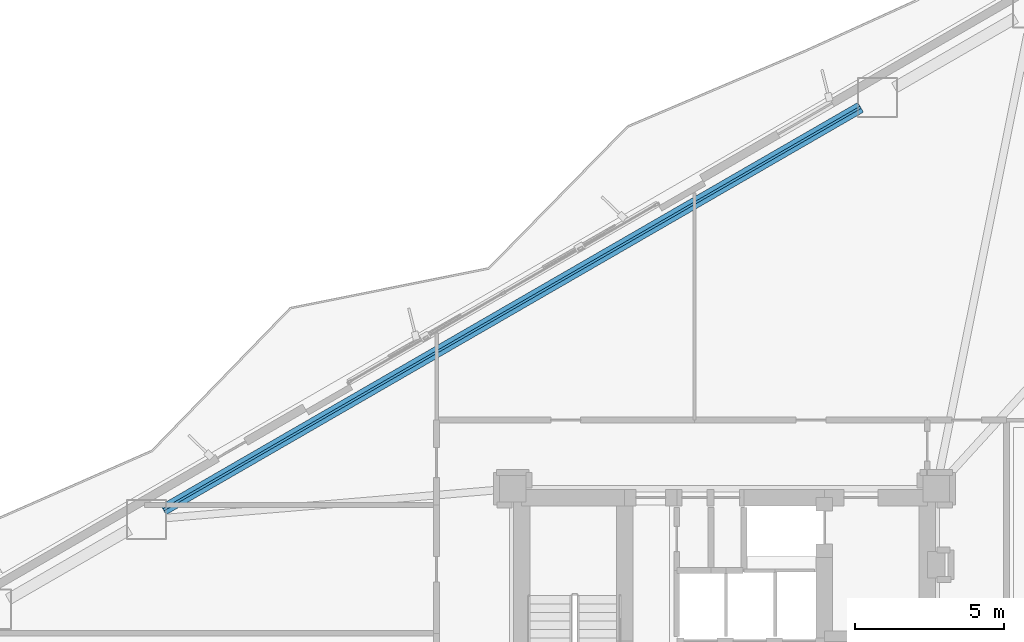
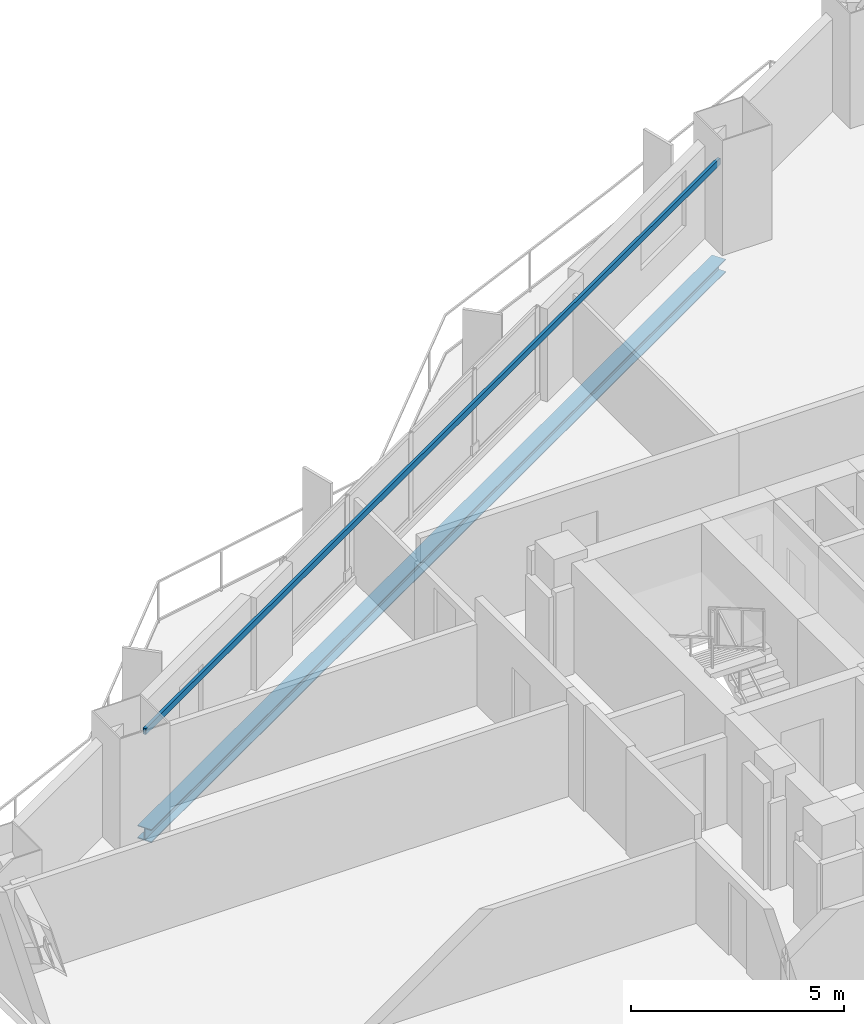
# One storey, part 8 of 16: 2 beams.
"""IFC4 building model written with IfcOpenShell, lengths in metres."""

import ifcopenshell
import ifcopenshell.guid

model = None  # the IFC model being written
_history = None  # IfcOwnerHistory: only IFC2X3 demands one
_inside = {}  # id of a spatial element -> (the spatial element, [elements in it])
_under = {}  # id of a project, library or spatial element -> (it, [spatial elements below it])
_declared = {}  # id of a project -> (the project, [libraries it declares])
_typed = {}  # id of a type object -> (the type object, [elements of that type])
_made_of = {}  # id of a material, layer set ... -> (it, [elements and type objects made of it])


def new_model(schema):
    """Start an empty IFC model of exactly this schema.

    Asked for "IFC4X3", IfcOpenShell would pick the latest addendum, in which some entities
    have other attributes; the version numbers below select the first issue.
    IFC2X3 requires an IfcOwnerHistory on every rooted entity: one is made here for all.
    """
    global model, _history
    if schema == "IFC4X3":
        model = ifcopenshell.file(schema_version=(4, 3, 0, 0))
    else:
        model = ifcopenshell.file(schema=schema)
    _inside.clear()
    _under.clear()
    _declared.clear()
    _typed.clear()
    _made_of.clear()
    _history = None
    if model.schema == "IFC2X3":
        org = make("IfcOrganization", Name="unknown")
        user = make(
            "IfcPersonAndOrganization",
            ThePerson=make("IfcPerson", FamilyName="unknown"),
            TheOrganization=org,
        )
        app = make(
            "IfcApplication",
            ApplicationDeveloper=org,
            Version="unknown",
            ApplicationFullName="unknown",
            ApplicationIdentifier="unknown",
        )
        _history = make(
            "IfcOwnerHistory",
            OwningUser=user,
            OwningApplication=app,
            ChangeAction="ADDED",
            CreationDate=0,
        )
    return model


def make(cls, **values):
    """One entity of the class cls with the attributes given. An attribute that is None is left unset."""
    return model.create_entity(
        cls, **{name: value for name, value in values.items() if value is not None}
    )


def rooted(cls, **values):
    """An entity with a GlobalId (a new one), such as an element, a storey or a relation."""
    return make(cls, GlobalId=ifcopenshell.guid.new(), OwnerHistory=_history, **values)


def si_unit(unit_type, name, prefix=None):
    """IfcSIUnit, for example si_unit("LENGTHUNIT", "METRE", prefix="MILLI")."""
    return make("IfcSIUnit", UnitType=unit_type, Prefix=prefix, Name=name)


def assignment(units):
    """IfcUnitAssignment: the units of a project."""
    return None if units is None else make("IfcUnitAssignment", Units=units)


def point(xyz):
    """IfcCartesianPoint."""
    return None if xyz is None else make("IfcCartesianPoint", Coordinates=xyz)


def direction(xyz):
    """IfcDirection."""
    return None if xyz is None else make("IfcDirection", DirectionRatios=xyz)


def frame(location, z_axis=None, x_axis=None):
    """IfcAxis2Placement3D, a coordinate frame: its origin and axes. An axis left out is left unset."""
    return make(
        "IfcAxis2Placement3D",
        Location=point(location),
        Axis=direction(z_axis),
        RefDirection=direction(x_axis),
    )


def frame_2d(location, x_axis=None):
    """IfcAxis2Placement2D, a coordinate frame in the plane: its origin and x axis."""
    return make(
        "IfcAxis2Placement2D", Location=point(location), RefDirection=direction(x_axis)
    )


def origin():
    """The frame at (0, 0, 0) with its axes left unset."""
    return frame((0.0, 0.0, 0.0))


def origin_2d():
    """The frame at (0, 0) in the plane with its x axis left unset."""
    return frame_2d((0.0, 0.0))


def place(relative_to, where):
    """IfcLocalPlacement: puts the frame where relative to a parent placement (None: the world)."""
    return make(
        "IfcLocalPlacement", PlacementRelTo=relative_to, RelativePlacement=where
    )


def context(
    kind, dimensions, precision=None, world=None, true_north=None, identifier=None
):
    """IfcGeometricRepresentationContext, for example the 3D "Model" context."""
    return make(
        "IfcGeometricRepresentationContext",
        ContextIdentifier=identifier,
        ContextType=kind,
        CoordinateSpaceDimension=dimensions,
        Precision=precision,
        WorldCoordinateSystem=world,
        TrueNorth=true_north,
    )


def subcontext(parent, identifier, kind, view, scale=None):
    """IfcGeometricRepresentationSubContext, for example "Body" below "Model"."""
    return make(
        "IfcGeometricRepresentationSubContext",
        ContextIdentifier=identifier,
        ContextType=kind,
        ParentContext=parent,
        TargetScale=scale,
        TargetView=view,
    )


def project(units=None, contexts=None):
    """IfcProject with its units and contexts."""
    return rooted(
        "IfcProject",
        Name="project",
        RepresentationContexts=contexts,
        UnitsInContext=assignment(units),
    )


def spatial(cls, under=None, at=None, **own):
    """A site, building, storey or space (cls), placed at a placement, below another one or the project."""
    s = rooted(cls, ObjectPlacement=at, **own)
    if under is not None:
        _under.setdefault(under.id(), (under, []))[1].append(s)
    return s


def profile(cls, at=None, kind="AREA", **sizes):
    """A parametric profile (cls). Its sizes go by their IFC names, for example OverallWidth=200.0."""
    return make(cls, ProfileType=kind, Position=at, **sizes)


def hollow_rectangle(**sizes):
    """IfcRectangleHollowProfileDef."""
    return profile("IfcRectangleHollowProfileDef", **sizes)


def i_section(**sizes):
    """IfcIShapeProfileDef."""
    return profile("IfcIShapeProfileDef", **sizes)


def extrude(swept, where, along, depth):
    """IfcExtrudedAreaSolid: the profile swept, set in the frame where, extruded along a direction by depth."""
    return make(
        "IfcExtrudedAreaSolid",
        SweptArea=swept,
        Position=where,
        ExtrudedDirection=direction(along),
        Depth=depth,
    )


def shape(context_of_items, identifier, shape_type, items):
    """IfcShapeRepresentation: the items that make up one representation, for example the "Body"."""
    return make(
        "IfcShapeRepresentation",
        ContextOfItems=context_of_items,
        RepresentationIdentifier=identifier,
        RepresentationType=shape_type,
        Items=items,
    )


def material(Name=None, Category=None):
    """IfcMaterial."""
    return make("IfcMaterial", Name=Name, Category=Category)


def material_profile(
    of_material, cross_section, Name=None, Category=None, Priority=None
):
    """IfcMaterialProfile: a cross section and its material."""
    return make(
        "IfcMaterialProfile",
        Name=Name,
        Material=of_material,
        Profile=cross_section,
        Priority=Priority,
        Category=Category,
    )


def profile_set(profiles, Name=None, composite=None):
    """IfcMaterialProfileSet."""
    return make(
        "IfcMaterialProfileSet",
        Name=Name,
        MaterialProfiles=profiles,
        CompositeProfile=composite,
    )


def made_of(thing, what):
    """Note that an element or type object is made of a material, layer set ...; save() writes the relation."""
    if what is not None:
        _made_of.setdefault(what.id(), (what, []))[1].append(thing)
    return thing


def type_object(cls, material=None, **own):
    """A type object (cls), such as IfcWallType, which elements share."""
    return made_of(rooted(cls, **own), material)


def element(
    cls,
    number,
    at=None,
    inside=None,
    cuts=None,
    type_object=None,
    material=None,
    context=None,
    identifier="Body",
    shape_type=None,
    held_by="IfcProductDefinitionShape",
    body=None,
    shapes=None,
    **own,
):
    """One element of the class cls, such as IfcWall. Its Tag is "e" and its number.

    at: its placement. inside: the storey or other place that contains it. cuts: it is an
    opening in that element (IfcRelVoidsElement). A single representation is given by context,
    identifier, shape_type and body (its items); several are given by shapes. held_by: the class
    of the entity that holds the representations. save() writes the other relations.
    """
    e = rooted(cls, Tag="e%d" % number, ObjectPlacement=at, **own)
    if body is not None:
        shapes = [shape(context, identifier, shape_type, body)]
    if shapes is not None:
        e.Representation = make(held_by, Representations=shapes)
    if inside is not None:
        _inside.setdefault(inside.id(), (inside, []))[1].append(e)
    if cuts is not None:
        rooted(
            "IfcRelVoidsElement", RelatingBuildingElement=cuts, RelatedOpeningElement=e
        )
    if type_object is not None:
        _typed.setdefault(type_object.id(), (type_object, []))[1].append(e)
    return made_of(e, material)


def aggregate(whole, parts):
    """IfcRelAggregates: a whole, such as a stair, and the parts it consists of."""
    return rooted("IfcRelAggregates", RelatingObject=whole, RelatedObjects=parts)


def save(model, path):
    """Write the relations noted so far, then the file.

    IfcRelAggregates (storeys below a building ...), IfcRelContainedInSpatialStructure (elements
    in a storey), IfcRelDefinesByType, IfcRelAssociatesMaterial and IfcRelDeclares: one each for
    every whole, place, type object, material and project.
    """
    for whole, parts in _under.values():
        aggregate(whole, parts)
    for where, things in _inside.values():
        rooted(
            "IfcRelContainedInSpatialStructure",
            RelatedElements=things,
            RelatingStructure=where,
        )
    for kind, things in _typed.values():
        rooted("IfcRelDefinesByType", RelatedObjects=things, RelatingType=kind)
    for what, things in _made_of.values():
        rooted("IfcRelAssociatesMaterial", RelatedObjects=things, RelatingMaterial=what)
    for by, libraries in _declared.values():
        rooted("IfcRelDeclares", RelatingContext=by, RelatedDefinitions=libraries)
    model.write(path)


model = new_model("IFC4")

# Units and contexts
model_context = context("Model", 3, precision=1e-05, world=origin(), true_north=direction((0.0, 1.0)))
body_context = subcontext(model_context, "Body", "Model", "MODEL_VIEW")
ifc_project = project(units=[si_unit("LENGTHUNIT", "METRE"), si_unit("AREAUNIT", "SQUARE_METRE"), si_unit("VOLUMEUNIT", "CUBIC_METRE"), si_unit("PLANEANGLEUNIT", "RADIAN"), si_unit("MASSUNIT", "GRAM", prefix="KILO")], contexts=[model_context])

# Site, building, storey
site_placement = place(None, origin())
site = spatial("IfcSite", under=ifc_project, at=site_placement, CompositionType="ELEMENT")
building_placement = place(site_placement, origin())
building = spatial("IfcBuilding", under=site, at=building_placement, Name="Mersakhor Tower and Convention Hall", CompositionType="ELEMENT")
storey_placement = place(building_placement, frame((0.0, 0.0, 19.199951171875)))
storey = spatial("IfcBuildingStorey", under=building, at=storey_placement, Name="L04", CompositionType="ELEMENT", Elevation=19.199951171875)

# Beams
ifc_material_1 = material(Name="Steel S355", Category="steel")
ifc_material_profile_1 = material_profile(ifc_material_1, hollow_rectangle(XDim=0.080078125, YDim=0.179931640625, WallThickness=0.008056640625, at=origin_2d()), Name="RHS 180x80x8")
ifc_profile_set_1 = profile_set([ifc_material_profile_1], Name="Steel S355")
beam_type_1 = type_object("IfcBeamType", Name="BM-GRT-RHS180", PredefinedType="USERDEFINED", material=ifc_profile_set_1)
beam_1_placement = place(storey_placement, frame((10.183837890625, 32.341064453125, 2.47998046875), z_axis=(0.866025970279, 0.499999018801, 0.0), x_axis=(-0.499999018801, 0.866025970279, 0.0)))
element("IfcBeam", 1, at=beam_1_placement, inside=storey, type_object=beam_type_1, Name="L04 Facade Support Girt GRT-F1", ObjectType="GIRT", PredefinedType="USERDEFINED", context=body_context, shape_type="SweptSolid", body=[
    extrude(hollow_rectangle(XDim=0.080078125, YDim=0.179931640625, WallThickness=0.008056640625, at=origin_2d()), origin(), (0.0, 0.0, 1.0), 26.99951171875),
])
ifc_material_2 = material(Name="Steel S355", Category="steel")
ifc_material_profile_2 = material_profile(ifc_material_2, i_section(OverallWidth=0.374755859375, OverallDepth=0.37451171875, WebThickness=0.0166015625, FlangeThickness=0.027099609375, at=origin_2d()), Name="UC 356x368x202")
ifc_profile_set_2 = profile_set([ifc_material_profile_2], Name="Steel S355")
beam_type_2 = type_object("IfcBeamType", Name="BM-SPD-UC356", PredefinedType="SPANDREL", material=ifc_profile_set_2)
beam_2_placement = place(storey_placement, frame((10.183837890625, 32.341064453125, -0.46728515625), z_axis=(0.866025970279, 0.499999018801, 0.0), x_axis=(-0.499999018801, 0.866025970279, 0.0)))
element("IfcBeam", 2, at=beam_2_placement, inside=storey, type_object=beam_type_2, Name="L04 Perimeter Spandrel Beam SPB-02", PredefinedType="SPANDREL", context=body_context, shape_type="SweptSolid", body=[
    extrude(i_section(OverallWidth=0.374755859375, OverallDepth=0.37451171875, WebThickness=0.0166015625, FlangeThickness=0.027099609375, at=origin_2d()), origin(), (0.0, 0.0, 1.0), 26.99951171875),
])

save(model, "model.ifc")
